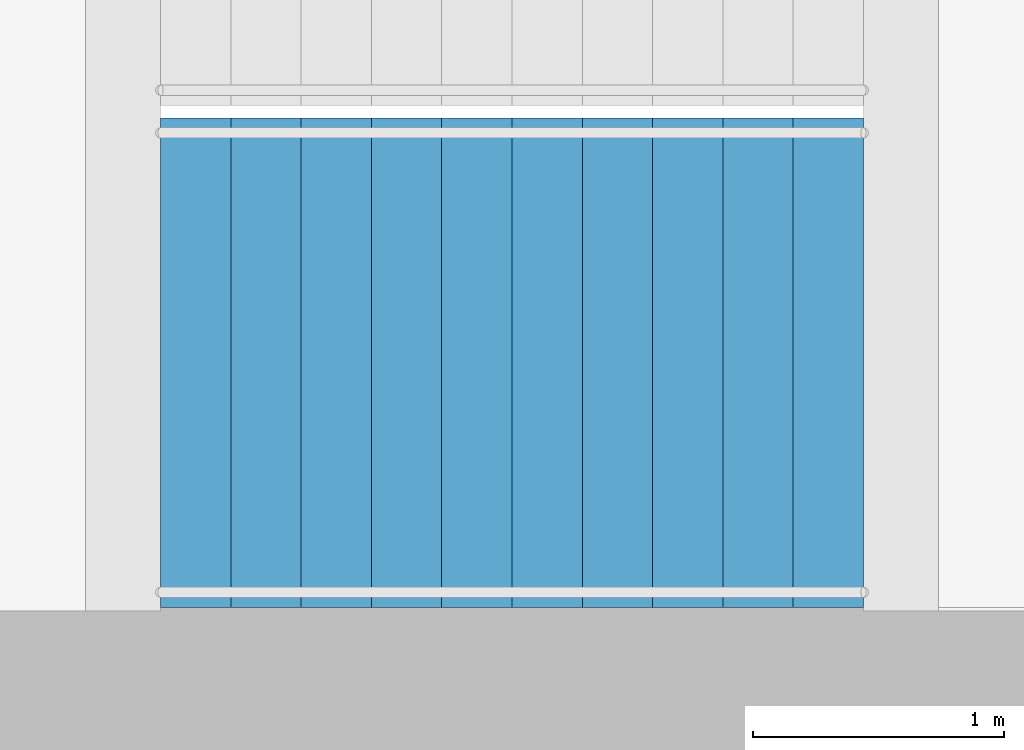
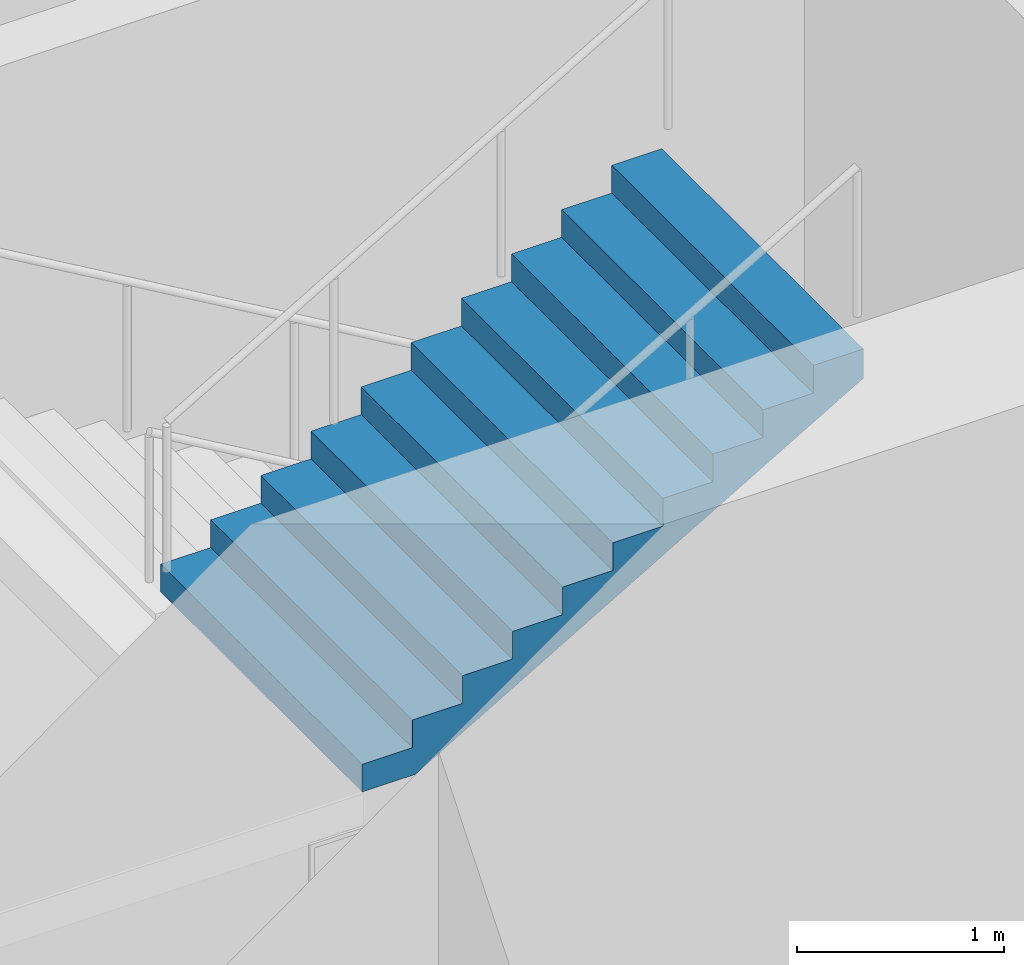
# One storey, part 21 of 24: 1 stair flight, 1 element without a shape of its own.
"""IFC4 building model written with IfcOpenShell, lengths in metres."""

from ifc_helpers import new_model, si_unit, direction, frame, origin, place, context, subcontext, project, spatial, triangles, material, type_object, element, aggregate, save


model = new_model("IFC4")

# Units and contexts
model_context = context("Model", 3, precision=1e-05, world=origin(), true_north=direction((0.0, 1.0)))
body_context = subcontext(model_context, "Body", "Model", "MODEL_VIEW")
ifc_project = project(units=[si_unit("LENGTHUNIT", "METRE"), si_unit("AREAUNIT", "SQUARE_METRE"), si_unit("VOLUMEUNIT", "CUBIC_METRE"), si_unit("PLANEANGLEUNIT", "RADIAN"), si_unit("MASSUNIT", "GRAM", prefix="KILO")], contexts=[model_context])

# Site, building, storey
site_placement = place(None, origin())
site = spatial("IfcSite", under=ifc_project, at=site_placement, CompositionType="ELEMENT")
building_placement = place(site_placement, origin())
building = spatial("IfcBuilding", under=site, at=building_placement, Name="Orbita Commons", CompositionType="ELEMENT")
storey_placement = place(building_placement, frame((0.0, 0.0, 68.949951171875)))
storey = spatial("IfcBuildingStorey", under=building, at=storey_placement, Name="L17", CompositionType="ELEMENT", Elevation=68.949951171875)

# Stair, stair flight
ifc_material_1 = material(Name="Precast concrete C40/50", Category="concrete")
stair_type = type_object("IfcStairType", Name="Exit stair S2 4 flights 11 risers 164", PredefinedType="HALF_TURN_STAIR", material=ifc_material_1)
stair_placement = place(storey_placement, origin())
stair = element("IfcStair", 1, at=stair_placement, inside=storey, type_object=stair_type, Name="Exit stair S2 L17", PredefinedType="HALF_TURN_STAIR")
ifc_material_2 = material(Name="Precast concrete C40/50", Category="concrete")
stair_flight_type = type_object("IfcStairFlightType", Name="Stair flight 11 risers 164 x 280", PredefinedType="STRAIGHT", material=ifc_material_2)
stair_flight_placement = place(storey_placement, frame((60.75, 27.27490234375, 5.400146484375), z_axis=(0.0, 0.0, 1.0), x_axis=(1.0, 0.0, 0.0)))
stair_flight = element("IfcStairFlight", 2, at=stair_flight_placement, type_object=stair_flight_type, Name="S2 flight 4", NumberOfRisers=11, NumberOfTreads=10, PredefinedType="STRAIGHT", RiserHeight=0.163636364, TreadLength=0.28, context=body_context, shape_type="Tessellation", body=[
    triangles([(0.0, 0.974976, 0.0), (0.0, 0.974976, 0.020455), (0.0, 0.81248, 0.020455), (0.0, 0.81248, 0.0), (0.0, 0.649984, 0.020455), (0.0, 0.649984, 0.0), (0.0, 0.487488, 0.020455), (0.0, 0.487488, 0.0), (0.0, 0.324992, 0.020455), (0.0, 0.324992, 0.0), (0.0, 0.162496, 0.020455), (0.0, 0.162496, 0.0), (0.0, 0.0, 0.020455), (0.0, 0.0, 0.0), (0.0, -0.162496, 0.020455), (0.0, -0.162496, 0.0), (0.0, -0.324992, 0.020455), (0.0, -0.324992, 0.0), (0.0, -0.487488, 0.020455), (0.0, -0.487488, 0.0), (0.0, -0.649984, 0.020455), (0.0, -0.649984, 0.0), (0.0, -0.81248, 0.020455), (0.0, -0.81248, 0.0), (0.0, -0.974976, 0.020455), (0.0, -0.974976, 0.0), (0.0, 0.974976, 0.040909), (0.0, 0.81248, 0.040909), (0.0, 0.649984, 0.040909), (0.0, 0.487488, 0.040909), (0.0, 0.324992, 0.040909), (0.0, 0.162496, 0.040909), (0.0, 0.0, 0.040909), (0.0, -0.162496, 0.040909), (0.0, -0.324992, 0.040909), (0.0, -0.487488, 0.040909), (0.0, -0.649984, 0.040909), (0.0, -0.81248, 0.040909), (0.0, -0.974976, 0.040909), (0.0, 0.974976, 0.061364), (0.0, 0.81248, 0.061364), (0.0, 0.649984, 0.061364), (0.0, 0.487488, 0.061364), (0.0, 0.324992, 0.061364), (0.0, 0.162496, 0.061364), (0.0, 0.0, 0.061364), (0.0, -0.162496, 0.061364), (0.0, -0.324992, 0.061364), (0.0, -0.487488, 0.061364), (0.0, -0.649984, 0.061364), (0.0, -0.81248, 0.061364), (0.0, -0.974976, 0.061364), (0.0, 0.974976, 0.081818), (0.0, 0.81248, 0.081818), (0.0, 0.649984, 0.081818), (0.0, 0.487488, 0.081818), (0.0, 0.324992, 0.081818), (0.0, 0.162496, 0.081818), (0.0, 0.0, 0.081818), (0.0, -0.162496, 0.081818), (0.0, -0.324992, 0.081818), (0.0, -0.487488, 0.081818), (0.0, -0.649984, 0.081818), (0.0, -0.81248, 0.081818), (0.0, -0.974976, 0.081818), (0.0, 0.974976, 0.102273), (0.0, 0.81248, 0.102273), (0.0, 0.649984, 0.102273), (0.0, 0.487488, 0.102273), (0.0, 0.324992, 0.102273), (0.0, 0.162496, 0.102273), (0.0, 0.0, 0.102273), (0.0, -0.162496, 0.102273), (0.0, -0.324992, 0.102273), (0.0, -0.487488, 0.102273), (0.0, -0.649984, 0.102273), (0.0, -0.81248, 0.102273), (0.0, -0.974976, 0.102273), (0.0, 0.974976, 0.122727), (0.0, 0.81248, 0.122727), (0.0, 0.649984, 0.122727), (0.0, 0.487488, 0.122727), (0.0, 0.324992, 0.122727), (0.0, 0.162496, 0.122727), (0.0, 0.0, 0.122727), (0.0, -0.162496, 0.122727), (0.0, -0.324992, 0.122727), (0.0, -0.487488, 0.122727), (0.0, -0.649984, 0.122727), (0.0, -0.81248, 0.122727), (0.0, -0.974976, 0.122727), (0.0, 0.974976, 0.143182), (0.0, 0.81248, 0.143182), (0.0, 0.649984, 0.143182), (0.0, 0.487488, 0.143182), (0.0, 0.324992, 0.143182), (0.0, 0.162496, 0.143182), (0.0, 0.0, 0.143182), (0.0, -0.162496, 0.143182), (0.0, -0.324992, 0.143182), (0.0, -0.487488, 0.143182), (0.0, -0.649984, 0.143182), (0.0, -0.81248, 0.143182), (0.0, -0.974976, 0.143182), (0.0, 0.974976, 0.163636), (0.0, 0.81248, 0.163636), (0.0, 0.649984, 0.163636), (0.0, 0.487488, 0.163636), (0.0, 0.324992, 0.163636), (0.0, 0.162496, 0.163636), (0.0, 0.0, 0.163636), (0.0, -0.162496, 0.163636), (0.0, -0.324992, 0.163636), (0.0, -0.487488, 0.163636), (0.0, -0.649984, 0.163636), (0.0, -0.81248, 0.163636), (0.0, -0.974976, 0.163636), (0.28, 0.974976, 0.163636), (0.28, 0.81248, 0.163636), (0.28, 0.649984, 0.163636), (0.28, 0.487488, 0.163636), (0.28, 0.324992, 0.163636), (0.28, 0.162496, 0.163636), (0.28, 0.0, 0.163636), (0.28, -0.162496, 0.163636), (0.28, -0.324992, 0.163636), (0.28, -0.487488, 0.163636), (0.28, -0.649984, 0.163636), (0.28, -0.81248, 0.163636), (0.28, -0.974976, 0.163636), (0.28, 0.974976, 0.327273), (0.28, 0.81248, 0.327273), (0.28, 0.649984, 0.327273), (0.28, 0.487488, 0.327273), (0.28, 0.324992, 0.327273), (0.28, 0.162496, 0.327273), (0.28, 0.0, 0.327273), (0.28, -0.162496, 0.327273), (0.28, -0.324992, 0.327273), (0.28, -0.487488, 0.327273), (0.28, -0.649984, 0.327273), (0.28, -0.81248, 0.327273), (0.28, -0.974976, 0.327273), (0.56, 0.974976, 0.327273), (0.56, 0.81248, 0.327273), (0.56, 0.649984, 0.327273), (0.56, 0.487488, 0.327273), (0.56, 0.324992, 0.327273), (0.56, 0.162496, 0.327273), (0.56, 0.0, 0.327273), (0.56, -0.162496, 0.327273), (0.56, -0.324992, 0.327273), (0.56, -0.487488, 0.327273), (0.56, -0.649984, 0.327273), (0.56, -0.81248, 0.327273), (0.56, -0.974976, 0.327273), (0.56, 0.974976, 0.490909), (0.56, 0.81248, 0.490909), (0.56, 0.649984, 0.490909), (0.56, 0.487488, 0.490909), (0.56, 0.324992, 0.490909), (0.56, 0.162496, 0.490909), (0.56, 0.0, 0.490909), (0.56, -0.162496, 0.490909), (0.56, -0.324992, 0.490909), (0.56, -0.487488, 0.490909), (0.56, -0.649984, 0.490909), (0.56, -0.81248, 0.490909), (0.56, -0.974976, 0.490909), (0.84, 0.974976, 0.490909), (0.84, 0.81248, 0.490909), (0.84, 0.649984, 0.490909), (0.84, 0.487488, 0.490909), (0.84, 0.324992, 0.490909), (0.84, 0.162496, 0.490909), (0.84, 0.0, 0.490909), (0.84, -0.162496, 0.490909), (0.84, -0.324992, 0.490909), (0.84, -0.487488, 0.490909), (0.84, -0.649984, 0.490909), (0.84, -0.81248, 0.490909), (0.84, -0.974976, 0.490909), (0.84, 0.974976, 0.654545), (0.84, 0.81248, 0.654545), (0.84, 0.649984, 0.654545), (0.84, 0.487488, 0.654545), (0.84, 0.324992, 0.654545), (0.84, 0.162496, 0.654545), (0.84, 0.0, 0.654545), (0.84, -0.162496, 0.654545), (0.84, -0.324992, 0.654545), (0.84, -0.487488, 0.654545), (0.84, -0.649984, 0.654545), (0.84, -0.81248, 0.654545), (0.84, -0.974976, 0.654545), (1.12, 0.974976, 0.654545), (1.12, 0.81248, 0.654545), (1.12, 0.649984, 0.654545), (1.12, 0.487488, 0.654545), (1.12, 0.324992, 0.654545), (1.12, 0.162496, 0.654545), (1.12, 0.0, 0.654545), (1.12, -0.162496, 0.654545), (1.12, -0.324992, 0.654545), (1.12, -0.487488, 0.654545), (1.12, -0.649984, 0.654545), (1.12, -0.81248, 0.654545), (1.12, -0.974976, 0.654545), (1.12, 0.974976, 0.818182), (1.12, 0.81248, 0.818182), (1.12, 0.649984, 0.818182), (1.12, 0.487488, 0.818182), (1.12, 0.324992, 0.818182), (1.12, 0.162496, 0.818182), (1.12, 0.0, 0.818182), (1.12, -0.162496, 0.818182), (1.12, -0.324992, 0.818182), (1.12, -0.487488, 0.818182), (1.12, -0.649984, 0.818182), (1.12, -0.81248, 0.818182), (1.12, -0.974976, 0.818182), (1.4, 0.974976, 0.818182), (1.4, 0.81248, 0.818182), (1.4, 0.649984, 0.818182), (1.4, 0.487488, 0.818182), (1.4, 0.324992, 0.818182), (1.4, 0.162496, 0.818182), (1.4, 0.0, 0.818182), (1.4, -0.162496, 0.818182), (1.4, -0.324992, 0.818182), (1.4, -0.487488, 0.818182), (1.4, -0.649984, 0.818182), (1.4, -0.81248, 0.818182), (1.4, -0.974976, 0.818182), (1.4, 0.974976, 0.981818), (1.4, 0.81248, 0.981818), (1.4, 0.649984, 0.981818), (1.4, 0.487488, 0.981818), (1.4, 0.324992, 0.981818), (1.4, 0.162496, 0.981818), (1.4, 0.0, 0.981818), (1.4, -0.162496, 0.981818), (1.4, -0.324992, 0.981818), (1.4, -0.487488, 0.981818), (1.4, -0.649984, 0.981818), (1.4, -0.81248, 0.981818), (1.4, -0.974976, 0.981818), (1.68, 0.974976, 0.981818), (1.68, 0.81248, 0.981818), (1.68, 0.649984, 0.981818), (1.68, 0.487488, 0.981818), (1.68, 0.324992, 0.981818), (1.68, 0.162496, 0.981818), (1.68, 0.0, 0.981818), (1.68, -0.162496, 0.981818), (1.68, -0.324992, 0.981818), (1.68, -0.487488, 0.981818), (1.68, -0.649984, 0.981818), (1.68, -0.81248, 0.981818), (1.68, -0.974976, 0.981818), (1.68, 0.974976, 1.145455), (1.68, 0.81248, 1.145455), (1.68, 0.649984, 1.145455), (1.68, 0.487488, 1.145455), (1.68, 0.324992, 1.145455), (1.68, 0.162496, 1.145455), (1.68, 0.0, 1.145455), (1.68, -0.162496, 1.145455), (1.68, -0.324992, 1.145455), (1.68, -0.487488, 1.145455), (1.68, -0.649984, 1.145455), (1.68, -0.81248, 1.145455), (1.68, -0.974976, 1.145455), (1.96, 0.974976, 1.145455), (1.96, 0.81248, 1.145455), (1.96, 0.649984, 1.145455), (1.96, 0.487488, 1.145455), (1.96, 0.324992, 1.145455), (1.96, 0.162496, 1.145455), (1.96, 0.0, 1.145455), (1.96, -0.162496, 1.145455), (1.96, -0.324992, 1.145455), (1.96, -0.487488, 1.145455), (1.96, -0.649984, 1.145455), (1.96, -0.81248, 1.145455), (1.96, -0.974976, 1.145455), (1.96, 0.974976, 1.309091), (1.96, 0.81248, 1.309091), (1.96, 0.649984, 1.309091), (1.96, 0.487488, 1.309091), (1.96, 0.324992, 1.309091), (1.96, 0.162496, 1.309091), (1.96, 0.0, 1.309091), (1.96, -0.162496, 1.309091), (1.96, -0.324992, 1.309091), (1.96, -0.487488, 1.309091), (1.96, -0.649984, 1.309091), (1.96, -0.81248, 1.309091), (1.96, -0.974976, 1.309091), (2.24, 0.974976, 1.309091), (2.24, 0.81248, 1.309091), (2.24, 0.649984, 1.309091), (2.24, 0.487488, 1.309091), (2.24, 0.324992, 1.309091), (2.24, 0.162496, 1.309091), (2.24, 0.0, 1.309091), (2.24, -0.162496, 1.309091), (2.24, -0.324992, 1.309091), (2.24, -0.487488, 1.309091), (2.24, -0.649984, 1.309091), (2.24, -0.81248, 1.309091), (2.24, -0.974976, 1.309091), (2.24, 0.974976, 1.472727), (2.24, 0.81248, 1.472727), (2.24, 0.649984, 1.472727), (2.24, 0.487488, 1.472727), (2.24, 0.324992, 1.472727), (2.24, 0.162496, 1.472727), (2.24, 0.0, 1.472727), (2.24, -0.162496, 1.472727), (2.24, -0.324992, 1.472727), (2.24, -0.487488, 1.472727), (2.24, -0.649984, 1.472727), (2.24, -0.81248, 1.472727), (2.24, -0.974976, 1.472727), (2.52, 0.974976, 1.472727), (2.52, 0.81248, 1.472727), (2.52, 0.649984, 1.472727), (2.52, 0.487488, 1.472727), (2.52, 0.324992, 1.472727), (2.52, 0.162496, 1.472727), (2.52, 0.0, 1.472727), (2.52, -0.162496, 1.472727), (2.52, -0.324992, 1.472727), (2.52, -0.487488, 1.472727), (2.52, -0.649984, 1.472727), (2.52, -0.81248, 1.472727), (2.52, -0.974976, 1.472727), (2.52, 0.974976, 1.636364), (2.52, 0.81248, 1.636364), (2.52, 0.649984, 1.636364), (2.52, 0.487488, 1.636364), (2.52, 0.324992, 1.636364), (2.52, 0.162496, 1.636364), (2.52, 0.0, 1.636364), (2.52, -0.162496, 1.636364), (2.52, -0.324992, 1.636364), (2.52, -0.487488, 1.636364), (2.52, -0.649984, 1.636364), (2.52, -0.81248, 1.636364), (2.52, -0.974976, 1.636364), (2.8, 0.974976, 1.636364), (2.8, 0.81248, 1.636364), (2.8, 0.649984, 1.636364), (2.8, 0.487488, 1.636364), (2.8, 0.324992, 1.636364), (2.8, 0.162496, 1.636364), (2.8, 0.0, 1.636364), (2.8, -0.162496, 1.636364), (2.8, -0.324992, 1.636364), (2.8, -0.487488, 1.636364), (2.8, -0.649984, 1.636364), (2.8, -0.81248, 1.636364), (2.8, -0.974976, 1.636364), (2.8, 0.974976, 1.614661), (2.8, 0.81248, 1.614661), (2.8, 0.649984, 1.614661), (2.8, 0.487488, 1.614661), (2.8, 0.324992, 1.614661), (2.8, 0.162496, 1.614661), (2.8, 0.0, 1.614661), (2.8, -0.162496, 1.614661), (2.8, -0.324992, 1.614661), (2.8, -0.487488, 1.614661), (2.8, -0.649984, 1.614661), (2.8, -0.81248, 1.614661), (2.8, -0.974976, 1.614661), (2.8, 0.974976, 1.592958), (2.8, 0.81248, 1.592958), (2.8, 0.649984, 1.592958), (2.8, 0.487488, 1.592958), (2.8, 0.324992, 1.592958), (2.8, 0.162496, 1.592958), (2.8, 0.0, 1.592958), (2.8, -0.162496, 1.592958), (2.8, -0.324992, 1.592958), (2.8, -0.487488, 1.592958), (2.8, -0.649984, 1.592958), (2.8, -0.81248, 1.592958), (2.8, -0.974976, 1.592958), (2.8, 0.974976, 1.571255), (2.8, 0.81248, 1.571255), (2.8, 0.649984, 1.571255), (2.8, 0.487488, 1.571255), (2.8, 0.324992, 1.571255), (2.8, 0.162496, 1.571255), (2.8, 0.0, 1.571255), (2.8, -0.162496, 1.571255), (2.8, -0.324992, 1.571255), (2.8, -0.487488, 1.571255), (2.8, -0.649984, 1.571255), (2.8, -0.81248, 1.571255), (2.8, -0.974976, 1.571255), (2.8, 0.974976, 1.549551), (2.8, 0.81248, 1.549551), (2.8, 0.649984, 1.549551), (2.8, 0.487488, 1.549551), (2.8, 0.324992, 1.549551), (2.8, 0.162496, 1.549551), (2.8, 0.0, 1.549551), (2.8, -0.162496, 1.549551), (2.8, -0.324992, 1.549551), (2.8, -0.487488, 1.549551), (2.8, -0.649984, 1.549551), (2.8, -0.81248, 1.549551), (2.8, -0.974976, 1.549551), (2.8, 0.974976, 1.527848), (2.8, 0.81248, 1.527848), (2.8, 0.649984, 1.527848), (2.8, 0.487488, 1.527848), (2.8, 0.324992, 1.527848), (2.8, 0.162496, 1.527848), (2.8, 0.0, 1.527848), (2.8, -0.162496, 1.527848), (2.8, -0.324992, 1.527848), (2.8, -0.487488, 1.527848), (2.8, -0.649984, 1.527848), (2.8, -0.81248, 1.527848), (2.8, -0.974976, 1.527848), (2.8, 0.974976, 1.506145), (2.8, 0.81248, 1.506145), (2.8, 0.649984, 1.506145), (2.8, 0.487488, 1.506145), (2.8, 0.324992, 1.506145), (2.8, 0.162496, 1.506145), (2.8, 0.0, 1.506145), (2.8, -0.162496, 1.506145), (2.8, -0.324992, 1.506145), (2.8, -0.487488, 1.506145), (2.8, -0.649984, 1.506145), (2.8, -0.81248, 1.506145), (2.8, -0.974976, 1.506145), (2.8, 0.974976, 1.484442), (2.8, 0.81248, 1.484442), (2.8, 0.649984, 1.484442), (2.8, 0.487488, 1.484442), (2.8, 0.324992, 1.484442), (2.8, 0.162496, 1.484442), (2.8, 0.0, 1.484442), (2.8, -0.162496, 1.484442), (2.8, -0.324992, 1.484442), (2.8, -0.487488, 1.484442), (2.8, -0.649984, 1.484442), (2.8, -0.81248, 1.484442), (2.8, -0.974976, 1.484442), (2.8, 0.974976, 1.462739), (2.8, 0.81248, 1.462739), (2.8, 0.649984, 1.462739), (2.8, 0.487488, 1.462739), (2.8, 0.324992, 1.462739), (2.8, 0.162496, 1.462739), (2.8, 0.0, 1.462739), (2.8, -0.162496, 1.462739), (2.8, -0.324992, 1.462739), (2.8, -0.487488, 1.462739), (2.8, -0.649984, 1.462739), (2.8, -0.81248, 1.462739), (2.8, -0.974976, 1.462739), (0.29709, 0.974976, 0.0), (0.29709, 0.81248, 0.0), (0.29709, 0.649984, 0.0), (0.29709, 0.487488, 0.0), (0.29709, 0.324992, 0.0), (0.29709, 0.162496, 0.0), (0.29709, 0.0, 0.0), (0.29709, -0.162496, 0.0), (0.29709, -0.324992, 0.0), (0.29709, -0.487488, 0.0), (0.29709, -0.649984, 0.0), (0.29709, -0.81248, 0.0), (0.29709, -0.974976, 0.0)], [[3, 2, 1], [4, 3, 1], [5, 3, 4], [6, 5, 4], [7, 5, 6], [8, 7, 6], [9, 7, 8], [10, 9, 8], [11, 9, 10], [12, 11, 10], [13, 11, 12], [14, 13, 12], [15, 13, 14], [16, 15, 14], [17, 15, 16], [18, 17, 16], [19, 17, 18], [20, 19, 18], [21, 19, 20], [22, 21, 20], [23, 21, 22], [24, 23, 22], [25, 23, 24], [26, 25, 24], [28, 27, 2], [3, 28, 2], [29, 28, 3], [5, 29, 3], [30, 29, 5], [7, 30, 5], [31, 30, 7], [9, 31, 7], [32, 31, 9], [11, 32, 9], [33, 32, 11], [13, 33, 11], [34, 33, 13], [15, 34, 13], [35, 34, 15], [17, 35, 15], [36, 35, 17], [19, 36, 17], [37, 36, 19], [21, 37, 19], [38, 37, 21], [23, 38, 21], [39, 38, 23], [25, 39, 23], [41, 40, 27], [28, 41, 27], [42, 41, 28], [29, 42, 28], [43, 42, 29], [30, 43, 29], [44, 43, 30], [31, 44, 30], [45, 44, 31], [32, 45, 31], [46, 45, 32], [33, 46, 32], [47, 46, 33], [34, 47, 33], [48, 47, 34], [35, 48, 34], [49, 48, 35], [36, 49, 35], [50, 49, 36], [37, 50, 36], [51, 50, 37], [38, 51, 37], [52, 51, 38], [39, 52, 38], [54, 53, 40], [41, 54, 40], [55, 54, 41], [42, 55, 41], [56, 55, 42], [43, 56, 42], [57, 56, 43], [44, 57, 43], [58, 57, 44], [45, 58, 44], [59, 58, 45], [46, 59, 45], [60, 59, 46], [47, 60, 46], [61, 60, 47], [48, 61, 47], [62, 61, 48], [49, 62, 48], [63, 62, 49], [50, 63, 49], [64, 63, 50], [51, 64, 50], [65, 64, 51], [52, 65, 51], [67, 66, 53], [54, 67, 53], [68, 67, 54], [55, 68, 54], [69, 68, 55], [56, 69, 55], [70, 69, 56], [57, 70, 56], [71, 70, 57], [58, 71, 57], [72, 71, 58], [59, 72, 58], [73, 72, 59], [60, 73, 59], [74, 73, 60], [61, 74, 60], [75, 74, 61], [62, 75, 61], [76, 75, 62], [63, 76, 62], [77, 76, 63], [64, 77, 63], [78, 77, 64], [65, 78, 64], [80, 79, 66], [67, 80, 66], [81, 80, 67], [68, 81, 67], [82, 81, 68], [69, 82, 68], [83, 82, 69], [70, 83, 69], [84, 83, 70], [71, 84, 70], [85, 84, 71], [72, 85, 71], [86, 85, 72], [73, 86, 72], [87, 86, 73], [74, 87, 73], [88, 87, 74], [75, 88, 74], [89, 88, 75], [76, 89, 75], [90, 89, 76], [77, 90, 76], [91, 90, 77], [78, 91, 77], [93, 92, 79], [80, 93, 79], [94, 93, 80], [81, 94, 80], [95, 94, 81], [82, 95, 81], [96, 95, 82], [83, 96, 82], [97, 96, 83], [84, 97, 83], [98, 97, 84], [85, 98, 84], [99, 98, 85], [86, 99, 85], [100, 99, 86], [87, 100, 86], [101, 100, 87], [88, 101, 87], [102, 101, 88], [89, 102, 88], [103, 102, 89], [90, 103, 89], [104, 103, 90], [91, 104, 90], [106, 105, 92], [93, 106, 92], [107, 106, 93], [94, 107, 93], [108, 107, 94], [95, 108, 94], [109, 108, 95], [96, 109, 95], [110, 109, 96], [97, 110, 96], [111, 110, 97], [98, 111, 97], [112, 111, 98], [99, 112, 98], [113, 112, 99], [100, 113, 99], [114, 113, 100], [101, 114, 100], [115, 114, 101], [102, 115, 101], [116, 115, 102], [103, 116, 102], [117, 116, 103], [104, 117, 103], [119, 118, 105], [106, 119, 105], [120, 119, 106], [107, 120, 106], [121, 120, 107], [108, 121, 107], [122, 121, 108], [109, 122, 108], [123, 122, 109], [110, 123, 109], [124, 123, 110], [111, 124, 110], [125, 124, 111], [112, 125, 111], [126, 125, 112], [113, 126, 112], [127, 126, 113], [114, 127, 113], [128, 127, 114], [115, 128, 114], [129, 128, 115], [116, 129, 115], [130, 129, 116], [117, 130, 116], [132, 131, 118], [119, 132, 118], [133, 132, 119], [120, 133, 119], [134, 133, 120], [121, 134, 120], [135, 134, 121], [122, 135, 121], [136, 135, 122], [123, 136, 122], [137, 136, 123], [124, 137, 123], [138, 137, 124], [125, 138, 124], [139, 138, 125], [126, 139, 125], [140, 139, 126], [127, 140, 126], [141, 140, 127], [128, 141, 127], [142, 141, 128], [129, 142, 128], [143, 142, 129], [130, 143, 129], [145, 144, 131], [132, 145, 131], [146, 145, 132], [133, 146, 132], [147, 146, 133], [134, 147, 133], [148, 147, 134], [135, 148, 134], [149, 148, 135], [136, 149, 135], [150, 149, 136], [137, 150, 136], [151, 150, 137], [138, 151, 137], [152, 151, 138], [139, 152, 138], [153, 152, 139], [140, 153, 139], [154, 153, 140], [141, 154, 140], [155, 154, 141], [142, 155, 141], [156, 155, 142], [143, 156, 142], [158, 157, 144], [145, 158, 144], [159, 158, 145], [146, 159, 145], [160, 159, 146], [147, 160, 146], [161, 160, 147], [148, 161, 147], [162, 161, 148], [149, 162, 148], [163, 162, 149], [150, 163, 149], [164, 163, 150], [151, 164, 150], [165, 164, 151], [152, 165, 151], [166, 165, 152], [153, 166, 152], [167, 166, 153], [154, 167, 153], [168, 167, 154], [155, 168, 154], [169, 168, 155], [156, 169, 155], [171, 170, 157], [158, 171, 157], [172, 171, 158], [159, 172, 158], [173, 172, 159], [160, 173, 159], [174, 173, 160], [161, 174, 160], [175, 174, 161], [162, 175, 161], [176, 175, 162], [163, 176, 162], [177, 176, 163], [164, 177, 163], [178, 177, 164], [165, 178, 164], [179, 178, 165], [166, 179, 165], [180, 179, 166], [167, 180, 166], [181, 180, 167], [168, 181, 167], [182, 181, 168], [169, 182, 168], [184, 183, 170], [171, 184, 170], [185, 184, 171], [172, 185, 171], [186, 185, 172], [173, 186, 172], [187, 186, 173], [174, 187, 173], [188, 187, 174], [175, 188, 174], [189, 188, 175], [176, 189, 175], [190, 189, 176], [177, 190, 176], [191, 190, 177], [178, 191, 177], [192, 191, 178], [179, 192, 178], [193, 192, 179], [180, 193, 179], [194, 193, 180], [181, 194, 180], [195, 194, 181], [182, 195, 181], [197, 196, 183], [184, 197, 183], [198, 197, 184], [185, 198, 184], [199, 198, 185], [186, 199, 185], [200, 199, 186], [187, 200, 186], [201, 200, 187], [188, 201, 187], [202, 201, 188], [189, 202, 188], [203, 202, 189], [190, 203, 189], [204, 203, 190], [191, 204, 190], [205, 204, 191], [192, 205, 191], [206, 205, 192], [193, 206, 192], [207, 206, 193], [194, 207, 193], [208, 207, 194], [195, 208, 194], [210, 209, 196], [197, 210, 196], [211, 210, 197], [198, 211, 197], [212, 211, 198], [199, 212, 198], [213, 212, 199], [200, 213, 199], [214, 213, 200], [201, 214, 200], [215, 214, 201], [202, 215, 201], [216, 215, 202], [203, 216, 202], [217, 216, 203], [204, 217, 203], [218, 217, 204], [205, 218, 204], [219, 218, 205], [206, 219, 205], [220, 219, 206], [207, 220, 206], [221, 220, 207], [208, 221, 207], [223, 222, 209], [210, 223, 209], [224, 223, 210], [211, 224, 210], [225, 224, 211], [212, 225, 211], [226, 225, 212], [213, 226, 212], [227, 226, 213], [214, 227, 213], [228, 227, 214], [215, 228, 214], [229, 228, 215], [216, 229, 215], [230, 229, 216], [217, 230, 216], [231, 230, 217], [218, 231, 217], [232, 231, 218], [219, 232, 218], [233, 232, 219], [220, 233, 219], [234, 233, 220], [221, 234, 220], [236, 235, 222], [223, 236, 222], [237, 236, 223], [224, 237, 223], [238, 237, 224], [225, 238, 224], [239, 238, 225], [226, 239, 225], [240, 239, 226], [227, 240, 226], [241, 240, 227], [228, 241, 227], [242, 241, 228], [229, 242, 228], [243, 242, 229], [230, 243, 229], [244, 243, 230], [231, 244, 230], [245, 244, 231], [232, 245, 231], [246, 245, 232], [233, 246, 232], [247, 246, 233], [234, 247, 233], [249, 248, 235], [236, 249, 235], [250, 249, 236], [237, 250, 236], [251, 250, 237], [238, 251, 237], [252, 251, 238], [239, 252, 238], [253, 252, 239], [240, 253, 239], [254, 253, 240], [241, 254, 240], [255, 254, 241], [242, 255, 241], [256, 255, 242], [243, 256, 242], [257, 256, 243], [244, 257, 243], [258, 257, 244], [245, 258, 244], [259, 258, 245], [246, 259, 245], [260, 259, 246], [247, 260, 246], [262, 261, 248], [249, 262, 248], [263, 262, 249], [250, 263, 249], [264, 263, 250], [251, 264, 250], [265, 264, 251], [252, 265, 251], [266, 265, 252], [253, 266, 252], [267, 266, 253], [254, 267, 253], [268, 267, 254], [255, 268, 254], [269, 268, 255], [256, 269, 255], [270, 269, 256], [257, 270, 256], [271, 270, 257], [258, 271, 257], [272, 271, 258], [259, 272, 258], [273, 272, 259], [260, 273, 259], [275, 274, 261], [262, 275, 261], [276, 275, 262], [263, 276, 262], [277, 276, 263], [264, 277, 263], [278, 277, 264], [265, 278, 264], [279, 278, 265], [266, 279, 265], [280, 279, 266], [267, 280, 266], [281, 280, 267], [268, 281, 267], [282, 281, 268], [269, 282, 268], [283, 282, 269], [270, 283, 269], [284, 283, 270], [271, 284, 270], [285, 284, 271], [272, 285, 271], [286, 285, 272], [273, 286, 272], [288, 287, 274], [275, 288, 274], [289, 288, 275], [276, 289, 275], [290, 289, 276], [277, 290, 276], [291, 290, 277], [278, 291, 277], [292, 291, 278], [279, 292, 278], [293, 292, 279], [280, 293, 279], [294, 293, 280], [281, 294, 280], [295, 294, 281], [282, 295, 281], [296, 295, 282], [283, 296, 282], [297, 296, 283], [284, 297, 283], [298, 297, 284], [285, 298, 284], [299, 298, 285], [286, 299, 285], [301, 300, 287], [288, 301, 287], [302, 301, 288], [289, 302, 288], [303, 302, 289], [290, 303, 289], [304, 303, 290], [291, 304, 290], [305, 304, 291], [292, 305, 291], [306, 305, 292], [293, 306, 292], [307, 306, 293], [294, 307, 293], [308, 307, 294], [295, 308, 294], [309, 308, 295], [296, 309, 295], [310, 309, 296], [297, 310, 296], [311, 310, 297], [298, 311, 297], [312, 311, 298], [299, 312, 298], [314, 313, 300], [301, 314, 300], [315, 314, 301], [302, 315, 301], [316, 315, 302], [303, 316, 302], [317, 316, 303], [304, 317, 303], [318, 317, 304], [305, 318, 304], [319, 318, 305], [306, 319, 305], [320, 319, 306], [307, 320, 306], [321, 320, 307], [308, 321, 307], [322, 321, 308], [309, 322, 308], [323, 322, 309], [310, 323, 309], [324, 323, 310], [311, 324, 310], [325, 324, 311], [312, 325, 311], [327, 326, 313], [314, 327, 313], [328, 327, 314], [315, 328, 314], [329, 328, 315], [316, 329, 315], [330, 329, 316], [317, 330, 316], [331, 330, 317], [318, 331, 317], [332, 331, 318], [319, 332, 318], [333, 332, 319], [320, 333, 319], [334, 333, 320], [321, 334, 320], [335, 334, 321], [322, 335, 321], [336, 335, 322], [323, 336, 322], [337, 336, 323], [324, 337, 323], [338, 337, 324], [325, 338, 324], [340, 339, 326], [327, 340, 326], [341, 340, 327], [328, 341, 327], [342, 341, 328], [329, 342, 328], [343, 342, 329], [330, 343, 329], [344, 343, 330], [331, 344, 330], [345, 344, 331], [332, 345, 331], [346, 345, 332], [333, 346, 332], [347, 346, 333], [334, 347, 333], [348, 347, 334], [335, 348, 334], [349, 348, 335], [336, 349, 335], [350, 349, 336], [337, 350, 336], [351, 350, 337], [338, 351, 337], [353, 352, 339], [340, 353, 339], [354, 353, 340], [341, 354, 340], [355, 354, 341], [342, 355, 341], [356, 355, 342], [343, 356, 342], [357, 356, 343], [344, 357, 343], [358, 357, 344], [345, 358, 344], [359, 358, 345], [346, 359, 345], [360, 359, 346], [347, 360, 346], [361, 360, 347], [348, 361, 347], [362, 361, 348], [349, 362, 348], [363, 362, 349], [350, 363, 349], [364, 363, 350], [351, 364, 350], [366, 365, 352], [353, 366, 352], [367, 366, 353], [354, 367, 353], [368, 367, 354], [355, 368, 354], [369, 368, 355], [356, 369, 355], [370, 369, 356], [357, 370, 356], [371, 370, 357], [358, 371, 357], [372, 371, 358], [359, 372, 358], [373, 372, 359], [360, 373, 359], [374, 373, 360], [361, 374, 360], [375, 374, 361], [362, 375, 361], [376, 375, 362], [363, 376, 362], [377, 376, 363], [364, 377, 363], [379, 378, 365], [366, 379, 365], [380, 379, 366], [367, 380, 366], [381, 380, 367], [368, 381, 367], [382, 381, 368], [369, 382, 368], [383, 382, 369], [370, 383, 369], [384, 383, 370], [371, 384, 370], [385, 384, 371], [372, 385, 371], [386, 385, 372], [373, 386, 372], [387, 386, 373], [374, 387, 373], [388, 387, 374], [375, 388, 374], [389, 388, 375], [376, 389, 375], [390, 389, 376], [377, 390, 376], [392, 391, 378], [379, 392, 378], [393, 392, 379], [380, 393, 379], [394, 393, 380], [381, 394, 380], [395, 394, 381], [382, 395, 381], [396, 395, 382], [383, 396, 382], [397, 396, 383], [384, 397, 383], [398, 397, 384], [385, 398, 384], [399, 398, 385], [386, 399, 385], [400, 399, 386], [387, 400, 386], [401, 400, 387], [388, 401, 387], [402, 401, 388], [389, 402, 388], [403, 402, 389], [390, 403, 389], [405, 404, 391], [392, 405, 391], [406, 405, 392], [393, 406, 392], [407, 406, 393], [394, 407, 393], [408, 407, 394], [395, 408, 394], [409, 408, 395], [396, 409, 395], [410, 409, 396], [397, 410, 396], [411, 410, 397], [398, 411, 397], [412, 411, 398], [399, 412, 398], [413, 412, 399], [400, 413, 399], [414, 413, 400], [401, 414, 400], [415, 414, 401], [402, 415, 401], [416, 415, 402], [403, 416, 402], [418, 417, 404], [405, 418, 404], [419, 418, 405], [406, 419, 405], [420, 419, 406], [407, 420, 406], [421, 420, 407], [408, 421, 407], [422, 421, 408], [409, 422, 408], [423, 422, 409], [410, 423, 409], [424, 423, 410], [411, 424, 410], [425, 424, 411], [412, 425, 411], [426, 425, 412], [413, 426, 412], [427, 426, 413], [414, 427, 413], [428, 427, 414], [415, 428, 414], [429, 428, 415], [416, 429, 415], [431, 430, 417], [418, 431, 417], [432, 431, 418], [419, 432, 418], [433, 432, 419], [420, 433, 419], [434, 433, 420], [421, 434, 420], [435, 434, 421], [422, 435, 421], [436, 435, 422], [423, 436, 422], [437, 436, 423], [424, 437, 423], [438, 437, 424], [425, 438, 424], [439, 438, 425], [426, 439, 425], [440, 439, 426], [427, 440, 426], [441, 440, 427], [428, 441, 427], [442, 441, 428], [429, 442, 428], [444, 443, 430], [431, 444, 430], [445, 444, 431], [432, 445, 431], [446, 445, 432], [433, 446, 432], [447, 446, 433], [434, 447, 433], [448, 447, 434], [435, 448, 434], [449, 448, 435], [436, 449, 435], [450, 449, 436], [437, 450, 436], [451, 450, 437], [438, 451, 437], [452, 451, 438], [439, 452, 438], [453, 452, 439], [440, 453, 439], [454, 453, 440], [441, 454, 440], [455, 454, 441], [442, 455, 441], [457, 456, 443], [444, 457, 443], [458, 457, 444], [445, 458, 444], [459, 458, 445], [446, 459, 445], [460, 459, 446], [447, 460, 446], [461, 460, 447], [448, 461, 447], [462, 461, 448], [449, 462, 448], [463, 462, 449], [450, 463, 449], [464, 463, 450], [451, 464, 450], [465, 464, 451], [452, 465, 451], [466, 465, 452], [453, 466, 452], [467, 466, 453], [454, 467, 453], [468, 467, 454], [455, 468, 454], [470, 469, 456], [457, 470, 456], [471, 470, 457], [458, 471, 457], [472, 471, 458], [459, 472, 458], [473, 472, 459], [460, 473, 459], [474, 473, 460], [461, 474, 460], [475, 474, 461], [462, 475, 461], [476, 475, 462], [463, 476, 462], [477, 476, 463], [464, 477, 463], [478, 477, 464], [465, 478, 464], [479, 478, 465], [466, 479, 465], [480, 479, 466], [467, 480, 466], [481, 480, 467], [468, 481, 467], [4, 1, 469], [470, 4, 469], [6, 4, 470], [471, 6, 470], [8, 6, 471], [472, 8, 471], [10, 8, 472], [473, 10, 472], [12, 10, 473], [474, 12, 473], [14, 12, 474], [475, 14, 474], [16, 14, 475], [476, 16, 475], [18, 16, 476], [477, 18, 476], [20, 18, 477], [478, 20, 477], [22, 20, 478], [479, 22, 478], [24, 22, 479], [480, 24, 479], [26, 24, 480], [481, 26, 480], [456, 469, 1], [26, 481, 468], [443, 456, 1], [26, 468, 455], [430, 443, 1], [26, 455, 442], [417, 430, 1], [26, 442, 429], [404, 417, 1], [26, 429, 416], [391, 404, 1], [26, 416, 403], [378, 391, 1], [26, 403, 390], [365, 378, 1], [26, 390, 377], [339, 352, 365], [377, 364, 351], [326, 339, 365], [377, 351, 338], [300, 313, 326], [338, 325, 312], [300, 326, 365], [377, 338, 312], [274, 287, 300], [312, 299, 286], [274, 300, 365], [377, 312, 286], [248, 261, 274], [286, 273, 260], [248, 274, 365], [377, 286, 260], [222, 235, 248], [260, 247, 234], [222, 248, 365], [377, 260, 234], [196, 209, 222], [234, 221, 208], [196, 222, 365], [377, 234, 208], [170, 183, 196], [208, 195, 182], [170, 196, 365], [377, 208, 182], [144, 157, 170], [182, 169, 156], [144, 170, 365], [377, 182, 156], [118, 131, 144], [156, 143, 130], [118, 144, 365], [377, 156, 130], [118, 365, 1], [26, 377, 130], [92, 105, 118], [130, 117, 104], [79, 92, 118], [130, 104, 91], [66, 79, 118], [130, 91, 78], [53, 66, 118], [130, 78, 65], [40, 53, 118], [130, 65, 52], [27, 40, 118], [130, 52, 39], [2, 27, 118], [130, 39, 25], [1, 2, 118], [130, 25, 26]], closed=True),
])
aggregate(stair, [stair_flight])

save(model, "model.ifc")
